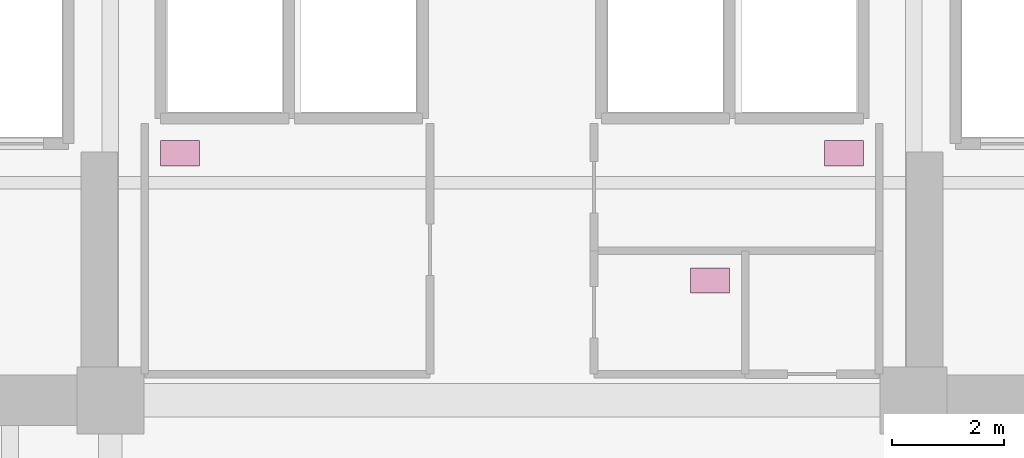
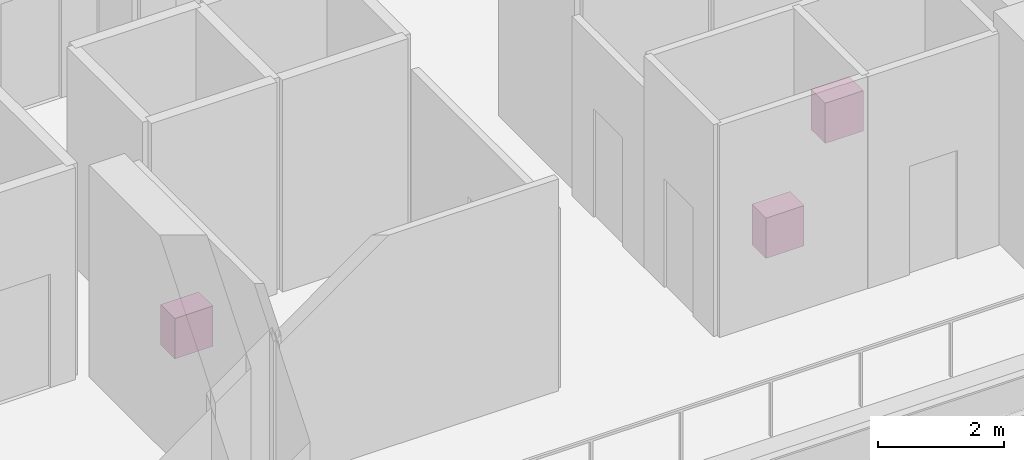
# One storey, part 21 of 21: 3 furnishings.
"""IFC4 building model written with IfcOpenShell, lengths in metres."""

import ifcopenshell
import ifcopenshell.guid

model = None  # the IFC model being written
_history = None  # IfcOwnerHistory: only IFC2X3 demands one
_inside = {}  # id of a spatial element -> (the spatial element, [elements in it])
_under = {}  # id of a project, library or spatial element -> (it, [spatial elements below it])
_declared = {}  # id of a project -> (the project, [libraries it declares])
_typed = {}  # id of a type object -> (the type object, [elements of that type])
_made_of = {}  # id of a material, layer set ... -> (it, [elements and type objects made of it])


def new_model(schema):
    """Start an empty IFC model of exactly this schema.

    Asked for "IFC4X3", IfcOpenShell would pick the latest addendum, in which some entities
    have other attributes; the version numbers below select the first issue.
    IFC2X3 requires an IfcOwnerHistory on every rooted entity: one is made here for all.
    """
    global model, _history
    if schema == "IFC4X3":
        model = ifcopenshell.file(schema_version=(4, 3, 0, 0))
    else:
        model = ifcopenshell.file(schema=schema)
    _inside.clear()
    _under.clear()
    _declared.clear()
    _typed.clear()
    _made_of.clear()
    _history = None
    if model.schema == "IFC2X3":
        org = make("IfcOrganization", Name="unknown")
        user = make(
            "IfcPersonAndOrganization",
            ThePerson=make("IfcPerson", FamilyName="unknown"),
            TheOrganization=org,
        )
        app = make(
            "IfcApplication",
            ApplicationDeveloper=org,
            Version="unknown",
            ApplicationFullName="unknown",
            ApplicationIdentifier="unknown",
        )
        _history = make(
            "IfcOwnerHistory",
            OwningUser=user,
            OwningApplication=app,
            ChangeAction="ADDED",
            CreationDate=0,
        )
    return model


def make(cls, **values):
    """One entity of the class cls with the attributes given. An attribute that is None is left unset."""
    return model.create_entity(
        cls, **{name: value for name, value in values.items() if value is not None}
    )


def rooted(cls, **values):
    """An entity with a GlobalId (a new one), such as an element, a storey or a relation."""
    return make(cls, GlobalId=ifcopenshell.guid.new(), OwnerHistory=_history, **values)


def si_unit(unit_type, name, prefix=None):
    """IfcSIUnit, for example si_unit("LENGTHUNIT", "METRE", prefix="MILLI")."""
    return make("IfcSIUnit", UnitType=unit_type, Prefix=prefix, Name=name)


def assignment(units):
    """IfcUnitAssignment: the units of a project."""
    return None if units is None else make("IfcUnitAssignment", Units=units)


def point(xyz):
    """IfcCartesianPoint."""
    return None if xyz is None else make("IfcCartesianPoint", Coordinates=xyz)


def direction(xyz):
    """IfcDirection."""
    return None if xyz is None else make("IfcDirection", DirectionRatios=xyz)


def frame(location, z_axis=None, x_axis=None):
    """IfcAxis2Placement3D, a coordinate frame: its origin and axes. An axis left out is left unset."""
    return make(
        "IfcAxis2Placement3D",
        Location=point(location),
        Axis=direction(z_axis),
        RefDirection=direction(x_axis),
    )


def frame_2d(location, x_axis=None):
    """IfcAxis2Placement2D, a coordinate frame in the plane: its origin and x axis."""
    return make(
        "IfcAxis2Placement2D", Location=point(location), RefDirection=direction(x_axis)
    )


def origin():
    """The frame at (0, 0, 0) with its axes left unset."""
    return frame((0.0, 0.0, 0.0))


def origin_2d():
    """The frame at (0, 0) in the plane with its x axis left unset."""
    return frame_2d((0.0, 0.0))


def place(relative_to, where):
    """IfcLocalPlacement: puts the frame where relative to a parent placement (None: the world)."""
    return make(
        "IfcLocalPlacement", PlacementRelTo=relative_to, RelativePlacement=where
    )


def context(
    kind, dimensions, precision=None, world=None, true_north=None, identifier=None
):
    """IfcGeometricRepresentationContext, for example the 3D "Model" context."""
    return make(
        "IfcGeometricRepresentationContext",
        ContextIdentifier=identifier,
        ContextType=kind,
        CoordinateSpaceDimension=dimensions,
        Precision=precision,
        WorldCoordinateSystem=world,
        TrueNorth=true_north,
    )


def subcontext(parent, identifier, kind, view, scale=None):
    """IfcGeometricRepresentationSubContext, for example "Body" below "Model"."""
    return make(
        "IfcGeometricRepresentationSubContext",
        ContextIdentifier=identifier,
        ContextType=kind,
        ParentContext=parent,
        TargetScale=scale,
        TargetView=view,
    )


def project(units=None, contexts=None):
    """IfcProject with its units and contexts."""
    return rooted(
        "IfcProject",
        Name="project",
        RepresentationContexts=contexts,
        UnitsInContext=assignment(units),
    )


def spatial(cls, under=None, at=None, **own):
    """A site, building, storey or space (cls), placed at a placement, below another one or the project."""
    s = rooted(cls, ObjectPlacement=at, **own)
    if under is not None:
        _under.setdefault(under.id(), (under, []))[1].append(s)
    return s


def profile(cls, at=None, kind="AREA", **sizes):
    """A parametric profile (cls). Its sizes go by their IFC names, for example OverallWidth=200.0."""
    return make(cls, ProfileType=kind, Position=at, **sizes)


def rectangle(**sizes):
    """IfcRectangleProfileDef."""
    return profile("IfcRectangleProfileDef", **sizes)


def extrude(swept, where, along, depth):
    """IfcExtrudedAreaSolid: the profile swept, set in the frame where, extruded along a direction by depth."""
    return make(
        "IfcExtrudedAreaSolid",
        SweptArea=swept,
        Position=where,
        ExtrudedDirection=direction(along),
        Depth=depth,
    )


def shape(context_of_items, identifier, shape_type, items):
    """IfcShapeRepresentation: the items that make up one representation, for example the "Body"."""
    return make(
        "IfcShapeRepresentation",
        ContextOfItems=context_of_items,
        RepresentationIdentifier=identifier,
        RepresentationType=shape_type,
        Items=items,
    )


def source(mapping_origin, context_of_items, identifier, shape_type, items):
    """IfcRepresentationMap: a shape defined once, which mapped items show again and again."""
    return make(
        "IfcRepresentationMap",
        MappingOrigin=mapping_origin,
        MappedRepresentation=shape(context_of_items, identifier, shape_type, items),
    )


def transform(
    local_origin,
    x_axis=None,
    y_axis=None,
    z_axis=None,
    scale=None,
    scale2=None,
    scale3=None,
    uniform=True,
):
    """IfcCartesianTransformationOperator3D, or its non-uniform kind. x_axis, y_axis, z_axis: its Axis1, 2, 3."""
    if uniform:
        return make(
            "IfcCartesianTransformationOperator3D",
            Axis1=direction(x_axis),
            Axis2=direction(y_axis),
            LocalOrigin=point(local_origin),
            Scale=scale,
            Axis3=direction(z_axis),
        )
    return make(
        "IfcCartesianTransformationOperator3DnonUniform",
        Axis1=direction(x_axis),
        Axis2=direction(y_axis),
        LocalOrigin=point(local_origin),
        Scale=scale,
        Axis3=direction(z_axis),
        Scale2=scale2,
        Scale3=scale3,
    )


def mapped(mapping_source, mapping_target):
    """IfcMappedItem: shows the shape of a source again, moved by a transform."""
    return make(
        "IfcMappedItem", MappingSource=mapping_source, MappingTarget=mapping_target
    )


def material(Name=None, Category=None):
    """IfcMaterial."""
    return make("IfcMaterial", Name=Name, Category=Category)


def made_of(thing, what):
    """Note that an element or type object is made of a material, layer set ...; save() writes the relation."""
    if what is not None:
        _made_of.setdefault(what.id(), (what, []))[1].append(thing)
    return thing


def type_object(cls, material=None, **own):
    """A type object (cls), such as IfcWallType, which elements share."""
    return made_of(rooted(cls, **own), material)


def element(
    cls,
    number,
    at=None,
    inside=None,
    cuts=None,
    type_object=None,
    material=None,
    context=None,
    identifier="Body",
    shape_type=None,
    held_by="IfcProductDefinitionShape",
    body=None,
    shapes=None,
    **own,
):
    """One element of the class cls, such as IfcWall. Its Tag is "e" and its number.

    at: its placement. inside: the storey or other place that contains it. cuts: it is an
    opening in that element (IfcRelVoidsElement). A single representation is given by context,
    identifier, shape_type and body (its items); several are given by shapes. held_by: the class
    of the entity that holds the representations. save() writes the other relations.
    """
    e = rooted(cls, Tag="e%d" % number, ObjectPlacement=at, **own)
    if body is not None:
        shapes = [shape(context, identifier, shape_type, body)]
    if shapes is not None:
        e.Representation = make(held_by, Representations=shapes)
    if inside is not None:
        _inside.setdefault(inside.id(), (inside, []))[1].append(e)
    if cuts is not None:
        rooted(
            "IfcRelVoidsElement", RelatingBuildingElement=cuts, RelatedOpeningElement=e
        )
    if type_object is not None:
        _typed.setdefault(type_object.id(), (type_object, []))[1].append(e)
    return made_of(e, material)


def aggregate(whole, parts):
    """IfcRelAggregates: a whole, such as a stair, and the parts it consists of."""
    return rooted("IfcRelAggregates", RelatingObject=whole, RelatedObjects=parts)


def save(model, path):
    """Write the relations noted so far, then the file.

    IfcRelAggregates (storeys below a building ...), IfcRelContainedInSpatialStructure (elements
    in a storey), IfcRelDefinesByType, IfcRelAssociatesMaterial and IfcRelDeclares: one each for
    every whole, place, type object, material and project.
    """
    for whole, parts in _under.values():
        aggregate(whole, parts)
    for where, things in _inside.values():
        rooted(
            "IfcRelContainedInSpatialStructure",
            RelatedElements=things,
            RelatingStructure=where,
        )
    for kind, things in _typed.values():
        rooted("IfcRelDefinesByType", RelatedObjects=things, RelatingType=kind)
    for what, things in _made_of.values():
        rooted("IfcRelAssociatesMaterial", RelatedObjects=things, RelatingMaterial=what)
    for by, libraries in _declared.values():
        rooted("IfcRelDeclares", RelatingContext=by, RelatedDefinitions=libraries)
    model.write(path)


model = new_model("IFC4")

# Units and contexts
model_context = context("Model", 3, precision=1e-05, world=origin(), true_north=direction((0.0, 1.0)))
body_context = subcontext(model_context, "Body", "Model", "MODEL_VIEW")
ifc_project = project(units=[si_unit("LENGTHUNIT", "METRE"), si_unit("AREAUNIT", "SQUARE_METRE"), si_unit("VOLUMEUNIT", "CUBIC_METRE"), si_unit("PLANEANGLEUNIT", "RADIAN"), si_unit("MASSUNIT", "GRAM", prefix="KILO")], contexts=[model_context])

# Site, building, storey
site_placement = place(None, origin())
site = spatial("IfcSite", under=ifc_project, at=site_placement, CompositionType="ELEMENT")
building_placement = place(site_placement, origin())
building = spatial("IfcBuilding", under=site, at=building_placement, Name="Zarnakvel Exchange Tower", CompositionType="ELEMENT")
storey_placement = place(building_placement, frame((0.0, 0.0, 18.199951171875)))
storey = spatial("IfcBuildingStorey", under=building, at=storey_placement, Name="L04", CompositionType="ELEMENT", Elevation=18.199951171875)

# Furnishings
ifc_material = material(Name="Vitreous China Sanitaryware", Category="ceramic")
furnishing_element_type = type_object("IfcFurnishingElementType", Name="SAN-WC", material=ifc_material)
shared_shape = source(origin(), body_context, "Body", "SweptSolid", [
    extrude(rectangle(XDim=0.699951171875, YDim=0.449951171875, at=origin_2d()), origin(), (0.0, 0.0, 1.0), 0.780029296875),
])
for number, where, z_axis, x_axis, name in (
    (1, (-5.949951171875, 3.22998046875, 0.0), (0.0, 0.0, 1.0), (1.0, 0.0, 0.0), "L04 Sanitary Fixture (Male Toilet)"),
    (2, (5.949951171875, 3.22998046875, 0.0), (0.0, 0.0, 1.0), (1.0, 0.0, 0.0), "L04 Sanitary Fixture (Female Toilet)"),
    (3, (3.550048828125, 0.949951171875, 0.0), (0.0, 0.0, 1.0), (1.0, 0.0, 0.0), "L04 Sanitary Fixture (Accessible Toilet)"),
):
    element("IfcFurnishingElement", number, at=place(storey_placement, frame(where, z_axis=z_axis, x_axis=x_axis)), inside=storey, type_object=furnishing_element_type, Name=name, ObjectType="SANITARY_FIXTURE", context=body_context, shape_type="MappedRepresentation", body=[
        mapped(shared_shape, transform((0.0, 0.0, 0.0), x_axis=(1.0, 0.0, 0.0), y_axis=(0.0, 1.0, 0.0), z_axis=(0.0, 0.0, 1.0), scale=1.0)),
    ])

save(model, "model.ifc")
